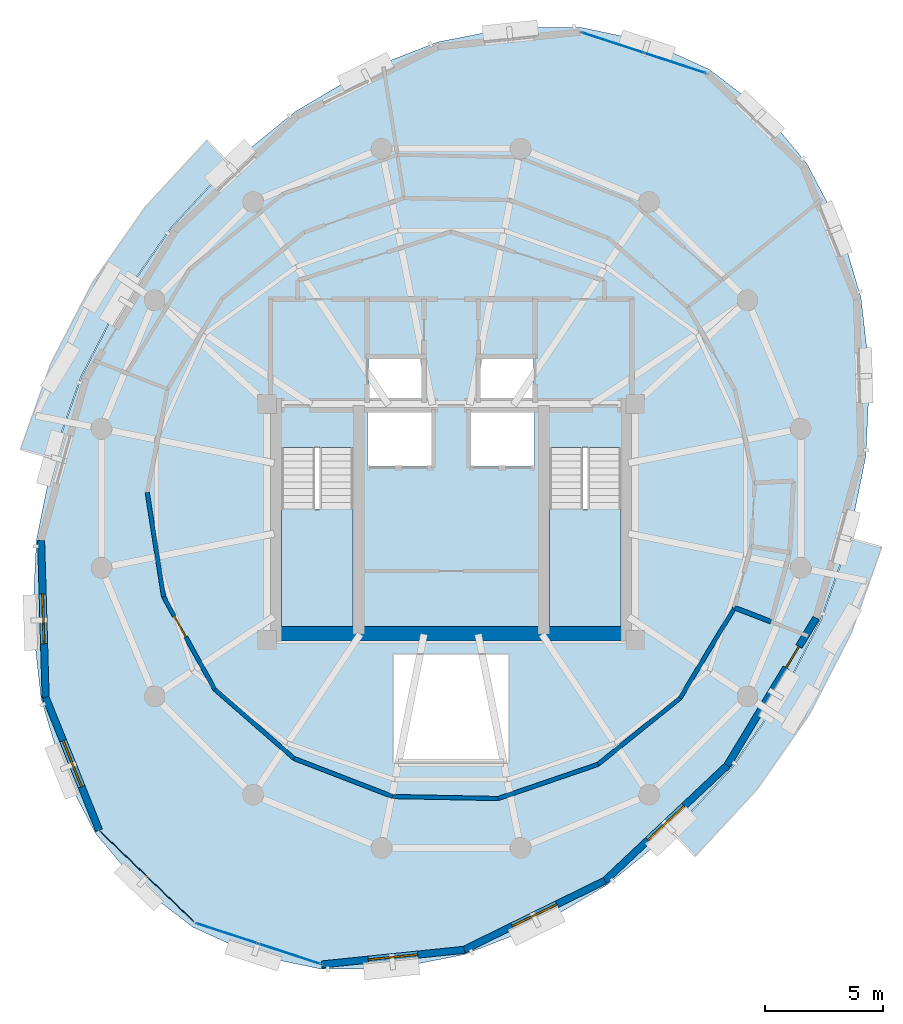
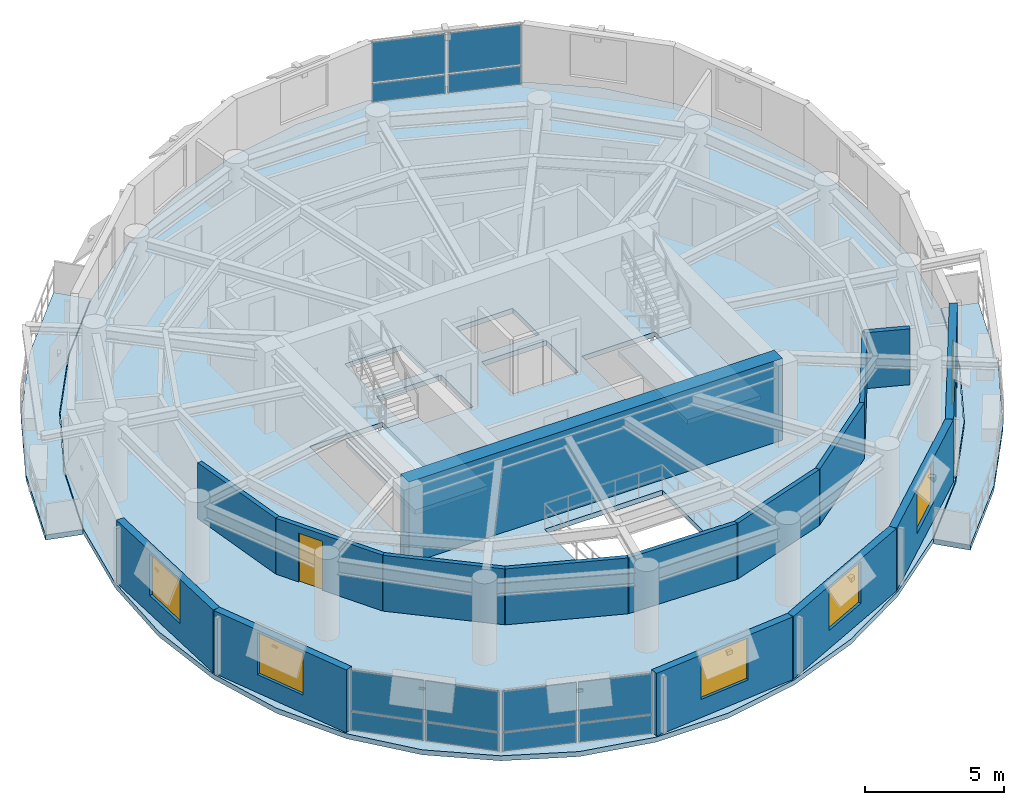
# One storey, part 6 of 11: 16 walls, 12 plates, 5 slabs, 5 windows, 2 doors, 7 openings, 5 elements without a shape of their own.
"""IFC4 building model written with IfcOpenShell, lengths in metres."""

from ifc_helpers import new_model, si_unit, direction, frame, frame_2d, origin, origin_2d, place, context, subcontext, project, spatial, polyline, rectangle, outline, extrude, material, layer, layer_set, type_object, element, fill, aggregate, save


model = new_model("IFC4")

# Units and contexts
model_context = context("Model", 3, precision=1e-05, world=origin(), true_north=direction((0.0, 1.0)))
body_context = subcontext(model_context, "Body", "Model", "MODEL_VIEW")
ifc_project = project(units=[si_unit("LENGTHUNIT", "METRE"), si_unit("AREAUNIT", "SQUARE_METRE"), si_unit("VOLUMEUNIT", "CUBIC_METRE"), si_unit("PLANEANGLEUNIT", "RADIAN"), si_unit("MASSUNIT", "GRAM", prefix="KILO"), si_unit("THERMODYNAMICTEMPERATUREUNIT", "KELVIN"), si_unit("POWERUNIT", "WATT")], contexts=[model_context])

# Site, building, storey
site_placement = place(None, origin())
site = spatial("IfcSite", under=ifc_project, at=site_placement, CompositionType="ELEMENT")
building_placement = place(site_placement, origin())
building = spatial("IfcBuilding", under=site, at=building_placement, Name="Ocrelia Relay Tower", CompositionType="ELEMENT")
storey_placement = place(building_placement, frame((0.0, 0.0, 273.60009765625)))
storey = spatial("IfcBuildingStorey", under=building, at=storey_placement, Name="L68", CompositionType="ELEMENT", Elevation=273.60009765625)

# Curtain wall, plates
ifc_material_1 = material(Name="Aluminium and solar-control low-E glass", Category="aluminium")
ifc_layer_1 = layer(ifc_material_1, 0.179931640625, Name="Aluminium and solar-control low-E glass")
ifc_layer_set_1 = layer_set([ifc_layer_1], Name="Aluminium and solar-control low-E glass")
curtain_wall_type = type_object("IfcCurtainWallType", Name="CW-SYS-Z4-EXEC", PredefinedType="NOTDEFINED", material=ifc_layer_set_1)
curtain_wall_1_placement = place(storey_placement, origin())
curtain_wall_1 = element("IfcCurtainWall", 1, at=curtain_wall_1_placement, inside=storey, type_object=curtain_wall_type, Name="L68 Elliptical Tower Curtain Wall Bay 01", PredefinedType="NOTDEFINED")
ifc_material_2 = material(Name="Clear double-glazed low-E glass", Category="glass")
ifc_layer_2 = layer(ifc_material_2, 0.031982421875, Name="Clear double-glazed low-E glass")
ifc_layer_set_2 = layer_set([ifc_layer_2], Name="Clear double-glazed low-E glass")
plate_type = type_object("IfcPlateType", Name="CW-SYS-Z4-EXEC-PNL", PredefinedType="CURTAIN_PANEL", material=ifc_layer_set_2)
plate_1_placement = place(storey_placement, frame((43.489501953125, 44.4267578125, 0.059814453125), z_axis=(0.0, 0.0, 1.0), x_axis=(-0.950255391519, 0.311471813957, 0.0)))
plate_1 = element("IfcPlate", 2, at=plate_1_placement, type_object=plate_type, Name="CW-Z4 panel 1.1", PredefinedType="CURTAIN_PANEL", context=body_context, shape_type="SweptSolid", body=[
    extrude(rectangle(XDim=2.7275390625, YDim=0.031982421875, at=origin_2d()), origin(), (0.0, 0.0, 1.0), 0.81005859375),
])
plate_2_placement = place(storey_placement, frame((43.489501953125, 44.4267578125, 0.929931640625), z_axis=(0.0, 0.0, 1.0), x_axis=(-0.950255391519, 0.311471813957, 0.0)))
plate_2 = element("IfcPlate", 3, at=plate_2_placement, type_object=plate_type, Name="CW-Z4 panel 1.2", PredefinedType="CURTAIN_PANEL", context=body_context, shape_type="SweptSolid", body=[
    extrude(rectangle(XDim=2.7275390625, YDim=0.031982421875, at=origin_2d()), origin(), (0.0, 0.0, 1.0), 1.77001953125),
])
plate_3_placement = place(storey_placement, frame((40.835693359375, 45.29638671875, 0.059814453125), z_axis=(0.0, 0.0, 1.0), x_axis=(-0.950255391519, 0.311471813957, 0.0)))
plate_3 = element("IfcPlate", 4, at=plate_3_placement, type_object=plate_type, Name="CW-Z4 panel 2.1", PredefinedType="CURTAIN_PANEL", context=body_context, shape_type="SweptSolid", body=[
    extrude(rectangle(XDim=2.7275390625, YDim=0.031982421875, at=origin_2d()), origin(), (0.0, 0.0, 1.0), 0.81005859375),
])
plate_4_placement = place(storey_placement, frame((40.835693359375, 45.29638671875, 0.929931640625), z_axis=(0.0, 0.0, 1.0), x_axis=(-0.950255391519, 0.311471813957, 0.0)))
plate_4 = element("IfcPlate", 5, at=plate_4_placement, type_object=plate_type, Name="CW-Z4 panel 2.2", PredefinedType="CURTAIN_PANEL", context=body_context, shape_type="SweptSolid", body=[
    extrude(rectangle(XDim=2.7275390625, YDim=0.031982421875, at=origin_2d()), origin(), (0.0, 0.0, 1.0), 1.77001953125),
])
aggregate(curtain_wall_1, [plate_1, plate_2, plate_3, plate_4])

curtain_wall_2_placement = place(storey_placement, origin())
curtain_wall_2 = element("IfcCurtainWall", 6, at=curtain_wall_2_placement, inside=storey, type_object=curtain_wall_type, Name="L68 Elliptical Tower Curtain Wall Bay 09", PredefinedType="NOTDEFINED")
plate_5_placement = place(storey_placement, frame((20.118896484375, 10.95361328125, 0.059814453125), z_axis=(0.0, 0.0, 1.0), x_axis=(0.718708551146, -0.695311454321, 0.0)))
plate_5 = element("IfcPlate", 7, at=plate_5_placement, type_object=plate_type, Name="CW-Z4 panel 1.1", PredefinedType="CURTAIN_PANEL", context=body_context, shape_type="SweptSolid", body=[
    extrude(rectangle(XDim=2.7275390625, YDim=0.031982421875, at=origin_2d()), origin(), (0.0, 0.0, 1.0), 0.81005859375),
])
plate_6_placement = place(storey_placement, frame((20.118896484375, 10.95361328125, 0.929931640625), z_axis=(0.0, 0.0, 1.0), x_axis=(0.718708551146, -0.695311454321, 0.0)))
plate_6 = element("IfcPlate", 8, at=plate_6_placement, type_object=plate_type, Name="CW-Z4 panel 1.2", PredefinedType="CURTAIN_PANEL", context=body_context, shape_type="SweptSolid", body=[
    extrude(rectangle(XDim=2.7275390625, YDim=0.031982421875, at=origin_2d()), origin(), (0.0, 0.0, 1.0), 1.77001953125),
])
plate_7_placement = place(storey_placement, frame((22.1259765625, 9.011962890625, 0.059814453125), z_axis=(0.0, 0.0, 1.0), x_axis=(0.718708551146, -0.695311454321, 0.0)))
plate_7 = element("IfcPlate", 9, at=plate_7_placement, type_object=plate_type, Name="CW-Z4 panel 2.1", PredefinedType="CURTAIN_PANEL", context=body_context, shape_type="SweptSolid", body=[
    extrude(rectangle(XDim=2.7275390625, YDim=0.031982421875, at=origin_2d()), origin(), (0.0, 0.0, 1.0), 0.81005859375),
])
plate_8_placement = place(storey_placement, frame((22.1259765625, 9.011962890625, 0.929931640625), z_axis=(0.0, 0.0, 1.0), x_axis=(0.718708551146, -0.695311454321, 0.0)))
plate_8 = element("IfcPlate", 10, at=plate_8_placement, type_object=plate_type, Name="CW-Z4 panel 2.2", PredefinedType="CURTAIN_PANEL", context=body_context, shape_type="SweptSolid", body=[
    extrude(rectangle(XDim=2.7275390625, YDim=0.031982421875, at=origin_2d()), origin(), (0.0, 0.0, 1.0), 1.77001953125),
])
aggregate(curtain_wall_2, [plate_5, plate_6, plate_7, plate_8])

curtain_wall_3_placement = place(storey_placement, origin())
curtain_wall_3 = element("IfcCurtainWall", 11, at=curtain_wall_3_placement, inside=storey, type_object=curtain_wall_type, Name="L68 Elliptical Tower Curtain Wall Bay 10", PredefinedType="NOTDEFINED")
plate_9_placement = place(storey_placement, frame((24.510498046875, 7.5732421875, 0.059814453125), z_axis=(0.0, 0.0, 1.0), x_axis=(0.950255391519, -0.311471813957, 0.0)))
plate_9 = element("IfcPlate", 12, at=plate_9_placement, type_object=plate_type, Name="CW-Z4 panel 1.1", PredefinedType="CURTAIN_PANEL", context=body_context, shape_type="SweptSolid", body=[
    extrude(rectangle(XDim=2.7275390625, YDim=0.031982421875, at=origin_2d()), origin(), (0.0, 0.0, 1.0), 0.81005859375),
])
plate_10_placement = place(storey_placement, frame((24.510498046875, 7.5732421875, 0.929931640625), z_axis=(0.0, 0.0, 1.0), x_axis=(0.950255391519, -0.311471813957, 0.0)))
plate_10 = element("IfcPlate", 13, at=plate_10_placement, type_object=plate_type, Name="CW-Z4 panel 1.2", PredefinedType="CURTAIN_PANEL", context=body_context, shape_type="SweptSolid", body=[
    extrude(rectangle(XDim=2.7275390625, YDim=0.031982421875, at=origin_2d()), origin(), (0.0, 0.0, 1.0), 1.77001953125),
])
plate_11_placement = place(storey_placement, frame((27.164306640625, 6.70361328125, 0.059814453125), z_axis=(0.0, 0.0, 1.0), x_axis=(0.950255391519, -0.311471813957, 0.0)))
plate_11 = element("IfcPlate", 14, at=plate_11_placement, type_object=plate_type, Name="CW-Z4 panel 2.1", PredefinedType="CURTAIN_PANEL", context=body_context, shape_type="SweptSolid", body=[
    extrude(rectangle(XDim=2.7275390625, YDim=0.031982421875, at=origin_2d()), origin(), (0.0, 0.0, 1.0), 0.81005859375),
])
plate_12_placement = place(storey_placement, frame((27.164306640625, 6.70361328125, 0.929931640625), z_axis=(0.0, 0.0, 1.0), x_axis=(0.950255391519, -0.311471813957, 0.0)))
plate_12 = element("IfcPlate", 15, at=plate_12_placement, type_object=plate_type, Name="CW-Z4 panel 2.2", PredefinedType="CURTAIN_PANEL", context=body_context, shape_type="SweptSolid", body=[
    extrude(rectangle(XDim=2.7275390625, YDim=0.031982421875, at=origin_2d()), origin(), (0.0, 0.0, 1.0), 1.77001953125),
])
aggregate(curtain_wall_3, [plate_9, plate_10, plate_11, plate_12])

# Slabs
ifc_material_3 = material(Name="Precast concrete C40/50", Category="concrete")
ifc_layer_3 = layer(ifc_material_3, 0.219970703125, Name="Precast concrete C40/50")
ifc_layer_set_3 = layer_set([ifc_layer_3], Name="Precast concrete C40/50")
slab_type_1 = type_object("IfcSlabType", Name="SL-BALC-220", PredefinedType="FLOOR", material=ifc_layer_set_3)
slab_1_placement = place(storey_placement, frame((0.0, 0.0, -0.22021484375)))
element("IfcSlab", 16, at=slab_1_placement, inside=storey, type_object=slab_type_1, Name="L68 Planted Loggia Balcony B1", PredefinedType="FLOOR", context=body_context, shape_type="SweptSolid", body=[
    extrude(outline(polyline([(24.609375, 40.142333984375), (23.37109375, 38.802490234375), (22.133056640625, 37.462646484375), (20.01708984375, 34.43505859375), (18.32568359375, 31.1513671875), (17.718017578125, 29.43115234375), (17.1103515625, 27.711181640625), (15.76708984375, 28.08154296875), (16.40673828125, 29.892578125), (17.046630859375, 31.70361328125), (18.82421875, 35.154541015625), (21.0478515625, 38.33642578125), (22.3515625, 39.747314453125), (23.655029296875, 41.15771484375), (24.609375, 40.142333984375)])), origin(), (0.0, 0.0, 1.0), 0.22021484375),
])
slab_2_placement = place(storey_placement, frame((0.0, 0.0, -0.22021484375)))
element("IfcSlab", 17, at=slab_2_placement, inside=storey, type_object=slab_type_1, Name="L68 Planted Loggia Balcony B2", PredefinedType="FLOOR", context=body_context, shape_type="SweptSolid", body=[
    extrude(outline(polyline([(43.390625, 11.857666015625), (44.62890625, 13.197509765625), (45.866943359375, 14.537353515625), (47.98291015625, 17.56494140625), (49.67431640625, 20.8486328125), (50.281982421875, 22.56884765625), (50.8896484375, 24.288818359375), (52.23291015625, 23.91845703125), (51.593017578125, 22.107421875), (50.953369140625, 20.29638671875), (49.17578125, 16.845458984375), (46.9521484375, 13.66357421875), (45.6484375, 12.2529296875), (44.344970703125, 10.84228515625), (43.390625, 11.857666015625)])), origin(), (0.0, 0.0, 1.0), 0.22021484375),
])
ifc_material_4 = material(Name="Concrete C50/60", Category="concrete")
ifc_layer_4 = layer(ifc_material_4, 0.219970703125, Name="Concrete C50/60")
ifc_layer_set_4 = layer_set([ifc_layer_4], Name="Concrete C50/60")
slab_type_2 = type_object("IfcSlabType", Name="SL-FLR-220", PredefinedType="FLOOR", material=ifc_layer_set_4)
slab_3_placement = place(storey_placement, frame((0.0, 0.0, -0.22021484375)))
element("IfcSlab", 18, at=slab_3_placement, inside=storey, type_object=slab_type_2, Name="L68 Elliptical Tower Floor Slab", PredefinedType="FLOOR", context=body_context, shape_type="SweptSolid", body=[
    extrude(outline(polyline([(44.950439453125, 44.15283203125), (42.360595703125, 45.339111328125), (39.5166015625, 45.937744140625), (36.5048828125, 45.9306640625), (33.4169921875, 45.31787109375), (30.34716796875, 44.1181640625), (27.387939453125, 42.367919921875), (24.6298828125, 40.120361328125), (22.156494140625, 37.44384765625), (20.042724609375, 34.41943359375), (18.353515625, 31.139404296875), (17.139404296875, 27.703125), (16.4375, 24.215087890625), (16.269287109375, 20.78125), (16.639892578125, 17.506103515625), (17.5380859375, 14.489013671875), (18.936279296875, 11.821533203125), (20.792236328125, 9.5849609375), (23.049560546875, 7.84716796875), (25.639404296875, 6.660888671875), (28.4833984375, 6.062255859375), (31.4951171875, 6.0693359375), (34.5830078125, 6.68212890625), (37.65283203125, 7.8818359375), (40.612060546875, 9.632080078125), (43.3701171875, 11.879638671875), (45.843505859375, 14.55615234375), (47.957275390625, 17.58056640625), (49.646484375, 20.860595703125), (50.860595703125, 24.296875), (51.5625, 27.784912109375), (51.730712890625, 31.21875), (51.360107421875, 34.493896484375), (50.4619140625, 37.510986328125), (49.063720703125, 40.178466796875), (47.207763671875, 42.4150390625), (44.950439453125, 44.15283203125)]), holes=[polyline([(26.81005859375, 28.14990234375), (26.81005859375, 20.550048828125), (29.85009765625, 20.550048828125), (29.85009765625, 28.14990234375), (26.81005859375, 28.14990234375)]), polyline([(38.159912109375, 28.14990234375), (38.159912109375, 20.550048828125), (41.199951171875, 20.550048828125), (41.199951171875, 28.14990234375), (38.159912109375, 28.14990234375)]), polyline([(30.4599609375, 27.35009765625), (33.159912109375, 27.35009765625), (33.159912109375, 29.64990234375), (30.4599609375, 29.64990234375), (30.4599609375, 27.35009765625)]), polyline([(34.840087890625, 27.35009765625), (37.5400390625, 27.35009765625), (37.5400390625, 29.64990234375), (34.840087890625, 29.64990234375), (34.840087890625, 27.35009765625)]), polyline([(30.5, 30.10009765625), (32.85009765625, 30.10009765625), (32.85009765625, 32.0), (30.5, 32.0), (30.5, 30.10009765625)]), polyline([(35.14990234375, 30.10009765625), (37.5, 30.10009765625), (37.5, 32.0), (35.14990234375, 32.0), (35.14990234375, 30.10009765625)]), polyline([(31.550048828125, 14.800048828125), (36.449951171875, 14.800048828125), (36.449951171875, 19.39990234375), (31.550048828125, 19.39990234375), (31.550048828125, 14.800048828125)])]), origin(), (0.0, 0.0, 1.0), 0.22021484375),
])

# Stair, slab
stair_type = type_object("IfcStairType", Name="ST-DL-1420-R180", PredefinedType="HALF_TURN_STAIR", material=ifc_material_4)
stair_1_placement = place(storey_placement, origin())
stair_1 = element("IfcStair", 19, at=stair_1_placement, inside=storey, type_object=stair_type, Name="L68 West Core Exit Stair ST1", PredefinedType="HALF_TURN_STAIR")
ifc_layer_5 = layer(ifc_material_4, 0.199951171875, Name="Concrete C50/60")
ifc_layer_set_5 = layer_set([ifc_layer_5], Name="Concrete C50/60")
slab_type_3 = type_object("IfcSlabType", Name="SL-LANDING-200", PredefinedType="LANDING", material=ifc_layer_set_5)
slab_4_placement = place(storey_placement, frame((0.0, 0.0, 1.599853515625)))
slab_4 = element("IfcSlab", 20, at=slab_4_placement, type_object=slab_type_3, Name="ST1 landing 1", PredefinedType="LANDING", context=body_context, shape_type="SweptSolid", body=[
    extrude(outline(polyline([(26.81005859375, 25.5400390625), (26.81005859375, 20.550048828125), (29.85009765625, 20.550048828125), (29.85009765625, 25.5400390625), (26.81005859375, 25.5400390625)])), origin(), (0.0, 0.0, 1.0), 0.199951171875),
])
aggregate(stair_1, [slab_4])

stair_2_placement = place(storey_placement, origin())
stair_2 = element("IfcStair", 21, at=stair_2_placement, inside=storey, type_object=stair_type, Name="L68 East Core Exit Stair ST2", PredefinedType="HALF_TURN_STAIR")
slab_5_placement = place(storey_placement, frame((0.0, 0.0, 1.599853515625)))
slab_5 = element("IfcSlab", 22, at=slab_5_placement, type_object=slab_type_3, Name="ST2 landing 1", PredefinedType="LANDING", context=body_context, shape_type="SweptSolid", body=[
    extrude(outline(polyline([(38.159912109375, 25.5400390625), (38.159912109375, 20.550048828125), (41.199951171875, 20.550048828125), (41.199951171875, 25.5400390625), (38.159912109375, 25.5400390625)])), origin(), (0.0, 0.0, 1.0), 0.199951171875),
])
aggregate(stair_2, [slab_5])

# Walls
ifc_layer_6 = layer(ifc_material_4, 0.60009765625, Name="Concrete C50/60")
ifc_layer_set_6 = layer_set([ifc_layer_6], Name="Concrete C50/60")
wall_type_1 = type_object("IfcWallType", Name="CW-CORE-600B", PredefinedType="SHEAR", material=ifc_layer_set_6)
wall_1_placement = place(storey_placement, frame((26.221923828125, 20.261962890625, 0.0), z_axis=(0.0, 0.0, 1.0), x_axis=(1.0, 0.0, 0.0)))
element("IfcWall", 23, at=wall_1_placement, inside=storey, type_object=wall_type_1, Name="L68 Core Shear Wall S", PredefinedType="SHEAR", context=body_context, shape_type="SweptSolid", body=[
    extrude(rectangle(XDim=15.566162109375, YDim=0.60009765625, at=frame_2d((7.783203125, 0.0))), origin(), (0.0, 0.0, 1.0), 3.599853515625),
])
ifc_material_5 = material(Name="Gypsum Fireboard Partition EI60", Category="gypsum")
ifc_layer_7 = layer(ifc_material_5, 0.179931640625, Name="Gypsum Fireboard Partition EI60")
ifc_layer_set_7 = layer_set([ifc_layer_7], Name="Gypsum Fireboard Partition EI60")
wall_type_2 = type_object("IfcWallType", Name="W-CORR-EI60-180", PredefinedType="PARTITIONING", material=ifc_layer_set_7)
wall_2_placement = place(storey_placement, frame((21.13232421875, 26.2470703125, 0.0), z_axis=(0.0, 0.0, 1.0), x_axis=(0.154745114787, -0.987954426808, 0.0)))
element("IfcWall", 24, at=wall_2_placement, inside=storey, type_object=wall_type_2, Name="L68 Satellite Telemetry Lab Corridor Partition 2", PredefinedType="PARTITIONING", context=body_context, shape_type="SweptSolid", body=[
    extrude(rectangle(XDim=4.4697265625, YDim=0.179931640625, at=frame_2d((2.23486328125, 0.0))), origin(), (0.0, 0.0, 1.0), 2.4599609375),
])

# Wall, opening, door
wall_3_placement = place(storey_placement, frame((21.823974609375, 21.831298828125, 0.0), z_axis=(0.0, 0.0, 1.0), x_axis=(0.483243391957, -0.87548605022, 0.0)))
wall_3 = element("IfcWall", 25, at=wall_3_placement, inside=storey, type_object=wall_type_2, Name="L68 Satellite Telemetry Lab Corridor Partition 3", PredefinedType="PARTITIONING", context=body_context, shape_type="SweptSolid", body=[
    extrude(rectangle(XDim=4.4697265625, YDim=0.179931640625, at=frame_2d((2.23486328125, 0.0))), origin(), (0.0, 0.0, 1.0), 2.4599609375),
])
opening_1_placement = place(wall_3_placement, frame((0.9423828125, 0.0, 0.0)))
opening_1 = element("IfcOpeningElement", 26, at=opening_1_placement, cuts=wall_3, Name="Opening D-RM100", PredefinedType="OPENING", context=body_context, shape_type="SweptSolid", body=[
    extrude(rectangle(XDim=1.0, YDim=2.14990234375, at=frame_2d((0.5, 1.074951171875))), frame((0.0, 0.10009765625, 0.0), z_axis=(0.0, -1.0, 0.0), x_axis=(1.0, 0.0, 0.0)), (0.0, 0.0, 1.0), 0.199951171875),
])
ifc_material_6 = material(Name="Acoustic oak veneer fire door", Category="wood")
door_type_1 = type_object("IfcDoorType", Name="DR-ROOM-FD60-1000", OperationType="NOTDEFINED", PredefinedType="DOOR", material=ifc_material_6)
door_1_placement = place(opening_1_placement, origin())
door_1 = element("IfcDoor", 27, at=door_1_placement, inside=storey, type_object=door_type_1, Name="L68 Satellite Telemetry Lab Entrance Door", OperationType="SINGLE_SWING_RIGHT", OverallHeight=2.14990234375, OverallWidth=1.0, PredefinedType="DOOR", context=body_context, shape_type="SweptSolid", body=[
    extrude(rectangle(XDim=1.0, YDim=2.14990234375, at=frame_2d((0.5, 1.074951171875))), frame((0.0, 0.02490234375, 0.0), z_axis=(0.0, -1.0, 0.0), x_axis=(1.0, 0.0, 0.0)), (0.0, 0.0, 1.0), 0.050048828125),
])
fill(opening_1, door_1)

# Walls
wall_4_placement = place(storey_placement, frame((23.98388671875, 17.918212890625, 0.0), z_axis=(0.0, 0.0, 1.0), x_axis=(0.753560422162, -0.657378650514, 0.0)))
element("IfcWall", 28, at=wall_4_placement, inside=storey, type_object=wall_type_2, Name="L68 Satellite Telemetry Lab Corridor Partition 4", PredefinedType="PARTITIONING", context=body_context, shape_type="SweptSolid", body=[
    extrude(rectangle(XDim=4.469970703125, YDim=0.179931640625, at=frame_2d((2.23486328125, 0.0))), origin(), (0.0, 0.0, 1.0), 2.4599609375),
])
wall_5_placement = place(storey_placement, frame((27.352294921875, 14.979736328125, 0.0), z_axis=(0.0, 0.0, 1.0), x_axis=(0.932964972783, -0.359967164557, 0.0)))
element("IfcWall", 29, at=wall_5_placement, inside=storey, type_object=wall_type_2, Name="L68 Satellite Telemetry Lab Corridor Partition 5", PredefinedType="PARTITIONING", context=body_context, shape_type="SweptSolid", body=[
    extrude(rectangle(XDim=4.469482421875, YDim=0.179931640625, at=frame_2d((2.23486328125, 0.0))), origin(), (0.0, 0.0, 1.0), 2.4599609375),
])
wall_6_placement = place(storey_placement, frame((31.522216796875, 13.370849609375, 0.0), z_axis=(0.0, 0.0, 1.0), x_axis=(0.999815160221, -0.019226164239, 0.0)))
element("IfcWall", 30, at=wall_6_placement, inside=storey, type_object=wall_type_2, Name="L68 Satellite Telemetry Lab Corridor Partition 6", PredefinedType="PARTITIONING", context=body_context, shape_type="SweptSolid", body=[
    extrude(rectangle(XDim=4.4697265625, YDim=0.179931640625, at=frame_2d((2.23486328125, 0.0))), origin(), (0.0, 0.0, 1.0), 2.4599609375),
])
wall_7_placement = place(storey_placement, frame((35.9912109375, 13.284912109375, 0.0), z_axis=(0.0, 0.0, 1.0), x_axis=(0.946067972385, 0.323968195394, 0.0)))
element("IfcWall", 31, at=wall_7_placement, inside=storey, type_object=wall_type_2, Name="L68 Satellite Telemetry Lab Corridor Partition 7", PredefinedType="PARTITIONING", context=body_context, shape_type="SweptSolid", body=[
    extrude(rectangle(XDim=4.469482421875, YDim=0.179931640625, at=frame_2d((2.23486328125, 0.0))), origin(), (0.0, 0.0, 1.0), 2.4599609375),
])
wall_8_placement = place(storey_placement, frame((40.2197265625, 14.73291015625, 0.0), z_axis=(0.0, 0.0, 1.0), x_axis=(0.778283015722, 0.627913646483, 0.0)))
element("IfcWall", 32, at=wall_8_placement, inside=storey, type_object=wall_type_2, Name="L68 Satellite Telemetry Lab Corridor Partition 8", PredefinedType="PARTITIONING", context=body_context, shape_type="SweptSolid", body=[
    extrude(rectangle(XDim=4.4697265625, YDim=0.179931640625, at=frame_2d((2.23486328125, 0.0))), origin(), (0.0, 0.0, 1.0), 2.4599609375),
])
wall_9_placement = place(storey_placement, frame((43.698486328125, 17.53955078125, 0.0), z_axis=(0.0, 0.0, 1.0), x_axis=(0.516518599696, 0.856275969631, 0.0)))
element("IfcWall", 33, at=wall_9_placement, inside=storey, type_object=wall_type_2, Name="L68 Satellite Telemetry Lab Corridor Partition 9", PredefinedType="PARTITIONING", context=body_context, shape_type="SweptSolid", body=[
    extrude(rectangle(XDim=4.469482421875, YDim=0.179931640625, at=frame_2d((2.23486328125, 0.0))), origin(), (0.0, 0.0, 1.0), 2.4599609375),
])

# Wall, opening, window
ifc_material_7 = material(Name="Precast concrete C40/50 with oxide terracotta", Category="masonry")
ifc_layer_8 = layer(ifc_material_7, 0.300048828125, Name="Precast concrete C40/50 with oxide terracotta")
ifc_layer_set_8 = layer_set([ifc_layer_8], Name="Precast concrete C40/50 with oxide terracotta")
wall_type_3 = type_object("IfcWallType", Name="W-EXT-TERR-300", PredefinedType="SOLIDWALL", material=ifc_layer_set_8)
wall_10_placement = place(storey_placement, frame((16.637451171875, 24.211181640625, 0.0), z_axis=(0.0, 0.0, 1.0), x_axis=(0.028849342267, -0.999583771102, 0.0)))
wall_10 = element("IfcWall", 34, at=wall_10_placement, inside=storey, type_object=wall_type_3, Name="L68 Oxide Terracotta Facade Wall 07", PredefinedType="SOLIDWALL", context=body_context, shape_type="SweptSolid", body=[
    extrude(rectangle(XDim=6.64306640625, YDim=0.300048828125, at=frame_2d((3.321533203125, 0.0))), origin(), (0.0, 0.0, 1.0), 2.760009765625),
])
opening_2_placement = place(wall_10_placement, frame((2.27197265625, 0.0, 0.800048828125)))
opening_2 = element("IfcOpeningElement", 35, at=opening_2_placement, cuts=wall_10, Name="Opening W-07", PredefinedType="OPENING", context=body_context, shape_type="SweptSolid", body=[
    extrude(rectangle(XDim=2.10009765625, YDim=1.85009765625, at=frame_2d((1.050048828125, 0.925048828125))), frame((0.0, 0.16015625, 0.0), z_axis=(0.0, -1.0, 0.0), x_axis=(1.0, 0.0, 0.0)), (0.0, 0.0, 1.0), 0.320068359375),
])
window_type = type_object("IfcWindowType", Name="WIN-Z4-2100x2200", PartitioningType="DOUBLE_PANEL_VERTICAL", PredefinedType="WINDOW", material=ifc_material_2)
window_1_placement = place(opening_2_placement, origin())
window_1 = element("IfcWindow", 36, at=window_1_placement, inside=storey, type_object=window_type, Name="L68 Facade Module Window 07", OverallHeight=1.85009765625, OverallWidth=2.10009765625, PartitioningType="SINGLE_PANEL", PredefinedType="WINDOW", context=body_context, shape_type="SweptSolid", body=[
    extrude(rectangle(XDim=2.10009765625, YDim=1.85009765625, at=frame_2d((1.050048828125, 0.925048828125))), frame((0.0, 0.030029296875, 0.0), z_axis=(0.0, -1.0, 0.0), x_axis=(1.0, 0.0, 0.0)), (0.0, 0.0, 1.0), 0.06005859375),
])
fill(opening_2, window_1)

wall_11_placement = place(storey_placement, frame((16.8291015625, 17.57080078125, 0.0), z_axis=(0.0, 0.0, 1.0), x_axis=(0.373264770135, -0.927724857582, 0.0)))
wall_11 = element("IfcWall", 37, at=wall_11_placement, inside=storey, type_object=wall_type_3, Name="L68 Oxide Terracotta Facade Wall 08", PredefinedType="SOLIDWALL", context=body_context, shape_type="SweptSolid", body=[
    extrude(rectangle(XDim=6.06201171875, YDim=0.300048828125, at=frame_2d((3.031005859375, 0.0))), origin(), (0.0, 0.0, 1.0), 2.760009765625),
])
opening_3_placement = place(wall_11_placement, frame((1.98095703125, 0.0, 0.800048828125)))
opening_3 = element("IfcOpeningElement", 38, at=opening_3_placement, cuts=wall_11, Name="Opening W-07", PredefinedType="OPENING", context=body_context, shape_type="SweptSolid", body=[
    extrude(rectangle(XDim=2.10009765625, YDim=1.85009765625, at=frame_2d((1.050048828125, 0.925048828125))), frame((0.0, 0.16015625, 0.0), z_axis=(0.0, -1.0, 0.0), x_axis=(1.0, 0.0, 0.0)), (0.0, 0.0, 1.0), 0.320068359375),
])
window_2_placement = place(opening_3_placement, origin())
window_2 = element("IfcWindow", 39, at=window_2_placement, inside=storey, type_object=window_type, Name="L68 Facade Module Window 08", OverallHeight=1.85009765625, OverallWidth=2.10009765625, PartitioningType="SINGLE_PANEL", PredefinedType="WINDOW", context=body_context, shape_type="SweptSolid", body=[
    extrude(rectangle(XDim=2.10009765625, YDim=1.85009765625, at=frame_2d((1.050048828125, 0.925048828125))), frame((0.0, 0.030029296875, 0.0), z_axis=(0.0, -1.0, 0.0), x_axis=(1.0, 0.0, 0.0)), (0.0, 0.0, 1.0), 0.06005859375),
])
fill(opening_3, window_2)

wall_12_placement = place(storey_placement, frame((28.52197265625, 6.258544921875, 0.0), z_axis=(0.0, 0.0, 1.0), x_axis=(0.994737324556, 0.102458065252, 0.0)))
wall_12 = element("IfcWall", 40, at=wall_12_placement, inside=storey, type_object=wall_type_3, Name="L68 Oxide Terracotta Facade Wall 11", PredefinedType="SOLIDWALL", context=body_context, shape_type="SweptSolid", body=[
    extrude(rectangle(XDim=6.06201171875, YDim=0.300048828125, at=frame_2d((3.031005859375, 0.0))), origin(), (0.0, 0.0, 1.0), 2.760009765625),
])
opening_4_placement = place(wall_12_placement, frame((1.98095703125, 0.0, 0.800048828125)))
opening_4 = element("IfcOpeningElement", 41, at=opening_4_placement, cuts=wall_12, Name="Opening W-07", PredefinedType="OPENING", context=body_context, shape_type="SweptSolid", body=[
    extrude(rectangle(XDim=2.10009765625, YDim=1.85009765625, at=frame_2d((1.050048828125, 0.925048828125))), frame((0.0, 0.16015625, 0.0), z_axis=(0.0, -1.0, 0.0), x_axis=(1.0, 0.0, 0.0)), (0.0, 0.0, 1.0), 0.320068359375),
])
window_3_placement = place(opening_4_placement, origin())
window_3 = element("IfcWindow", 42, at=window_3_placement, inside=storey, type_object=window_type, Name="L68 Facade Module Window 11", OverallHeight=1.85009765625, OverallWidth=2.10009765625, PartitioningType="SINGLE_PANEL", PredefinedType="WINDOW", context=body_context, shape_type="SweptSolid", body=[
    extrude(rectangle(XDim=2.10009765625, YDim=1.85009765625, at=frame_2d((1.050048828125, 0.925048828125))), frame((0.0, 0.030029296875, 0.0), z_axis=(0.0, -1.0, 0.0), x_axis=(1.0, 0.0, 0.0)), (0.0, 0.0, 1.0), 0.06005859375),
])
fill(opening_4, window_3)

wall_13_placement = place(storey_placement, frame((34.552001953125, 6.879638671875, 0.0), z_axis=(0.0, 0.0, 1.0), x_axis=(0.897666817596, 0.440674805936, 0.0)))
wall_13 = element("IfcWall", 43, at=wall_13_placement, inside=storey, type_object=wall_type_3, Name="L68 Oxide Terracotta Facade Wall 12", PredefinedType="SOLIDWALL", context=body_context, shape_type="SweptSolid", body=[
    extrude(rectangle(XDim=6.643310546875, YDim=0.300048828125, at=frame_2d((3.32177734375, 0.0))), origin(), (0.0, 0.0, 1.0), 2.760009765625),
])
opening_5_placement = place(wall_13_placement, frame((2.27197265625, 0.0, 0.800048828125)))
opening_5 = element("IfcOpeningElement", 44, at=opening_5_placement, cuts=wall_13, Name="Opening W-07", PredefinedType="OPENING", context=body_context, shape_type="SweptSolid", body=[
    extrude(rectangle(XDim=2.10009765625, YDim=1.85009765625, at=frame_2d((1.050048828125, 0.925048828125))), frame((0.0, 0.16015625, 0.0), z_axis=(0.0, -1.0, 0.0), x_axis=(1.0, 0.0, 0.0)), (0.0, 0.0, 1.0), 0.320068359375),
])
window_4_placement = place(opening_5_placement, origin())
window_4 = element("IfcWindow", 45, at=window_4_placement, inside=storey, type_object=window_type, Name="L68 Facade Module Window 12", OverallHeight=1.85009765625, OverallWidth=2.10009765625, PartitioningType="SINGLE_PANEL", PredefinedType="WINDOW", context=body_context, shape_type="SweptSolid", body=[
    extrude(rectangle(XDim=2.10009765625, YDim=1.85009765625, at=frame_2d((1.050048828125, 0.925048828125))), frame((0.0, 0.030029296875, 0.0), z_axis=(0.0, -1.0, 0.0), x_axis=(1.0, 0.0, 0.0)), (0.0, 0.0, 1.0), 0.06005859375),
])
fill(opening_5, window_4)

wall_14_placement = place(storey_placement, frame((40.515380859375, 9.80712890625, 0.0), z_axis=(0.0, 0.0, 1.0), x_axis=(0.727660844175, 0.685937093219, 0.0)))
wall_14 = element("IfcWall", 46, at=wall_14_placement, inside=storey, type_object=wall_type_3, Name="L68 Oxide Terracotta Facade Wall 13", PredefinedType="SOLIDWALL", context=body_context, shape_type="SweptSolid", body=[
    extrude(rectangle(XDim=7.115234375, YDim=0.300048828125, at=frame_2d((3.5576171875, 0.0))), origin(), (0.0, 0.0, 1.0), 2.760009765625),
])
opening_6_placement = place(wall_14_placement, frame((2.508056640625, 0.0, 0.800048828125)))
opening_6 = element("IfcOpeningElement", 47, at=opening_6_placement, cuts=wall_14, Name="Opening W-07", PredefinedType="OPENING", context=body_context, shape_type="SweptSolid", body=[
    extrude(rectangle(XDim=2.10009765625, YDim=1.85009765625, at=frame_2d((1.050048828125, 0.925048828125))), frame((0.0, 0.16015625, 0.0), z_axis=(0.0, -1.0, 0.0), x_axis=(1.0, 0.0, 0.0)), (0.0, 0.0, 1.0), 0.320068359375),
])
window_5_placement = place(opening_6_placement, origin())
window_5 = element("IfcWindow", 48, at=window_5_placement, inside=storey, type_object=window_type, Name="L68 Facade Module Window 13", OverallHeight=1.85009765625, OverallWidth=2.10009765625, PartitioningType="SINGLE_PANEL", PredefinedType="WINDOW", context=body_context, shape_type="SweptSolid", body=[
    extrude(rectangle(XDim=2.10009765625, YDim=1.85009765625, at=frame_2d((1.050048828125, 0.925048828125))), frame((0.0, 0.030029296875, 0.0), z_axis=(0.0, -1.0, 0.0), x_axis=(1.0, 0.0, 0.0)), (0.0, 0.0, 1.0), 0.06005859375),
])
fill(opening_6, window_5)

# Wall, opening, door
wall_15_placement = place(storey_placement, frame((45.69287109375, 14.687744140625, 0.0), z_axis=(0.0, 0.0, 1.0), x_axis=(0.516551999099, 0.856255821719, 0.0)))
wall_15 = element("IfcWall", 49, at=wall_15_placement, inside=storey, type_object=wall_type_3, Name="L68 Oxide Terracotta Facade Wall 14", PredefinedType="SOLIDWALL", context=body_context, shape_type="SweptSolid", body=[
    extrude(rectangle(XDim=7.293212890625, YDim=0.300048828125, at=frame_2d((3.646484375, 0.0))), origin(), (0.0, 0.0, 1.0), 2.760009765625),
])
opening_7_placement = place(wall_15_placement, frame((4.830078125, 0.0, 0.0)))
opening_7 = element("IfcOpeningElement", 50, at=opening_7_placement, cuts=wall_15, Name="Opening DB-105", PredefinedType="OPENING", context=body_context, shape_type="SweptSolid", body=[
    extrude(rectangle(XDim=1.050048828125, YDim=2.14990234375, at=frame_2d((0.52490234375, 1.074951171875))), frame((0.0, 0.16015625, 0.0), z_axis=(0.0, -1.0, 0.0), x_axis=(1.0, 0.0, 0.0)), (0.0, 0.0, 1.0), 0.320068359375),
])
ifc_material_8 = material(Name="Thermally broken aluminium and clear glass", Category="aluminium")
door_type_2 = type_object("IfcDoorType", Name="DR-BALC-1050", OperationType="NOTDEFINED", PredefinedType="DOOR", material=ifc_material_8)
door_2_placement = place(opening_7_placement, origin())
door_2 = element("IfcDoor", 51, at=door_2_placement, inside=storey, type_object=door_type_2, Name="L68 Planted Loggia Balcony Door B2", OperationType="SINGLE_SWING_LEFT", OverallHeight=2.14990234375, OverallWidth=1.050048828125, PredefinedType="DOOR", context=body_context, shape_type="SweptSolid", body=[
    extrude(rectangle(XDim=1.050048828125, YDim=2.14990234375, at=frame_2d((0.52490234375, 1.074951171875))), frame((0.0, 0.02490234375, 0.0), z_axis=(0.0, -1.0, 0.0), x_axis=(1.0, 0.0, 0.0)), (0.0, 0.0, 1.0), 0.050048828125),
])
fill(opening_7, door_2)

# Wall
ifc_material_9 = material(Name="Moisture-Resistant Fireboard Chase Wall EI60", Category="gypsum")
ifc_layer_9 = layer(ifc_material_9, 0.199951171875, Name="Moisture-Resistant Fireboard Chase Wall EI60")
ifc_layer_set_9 = layer_set([ifc_layer_9], Name="Moisture-Resistant Fireboard Chase Wall EI60")
wall_type_4 = type_object("IfcWallType", Name="W-PLUMB-200", PredefinedType="PLUMBINGWALL", material=ifc_layer_set_9)
wall_16_placement = place(storey_placement, frame((46.007080078125, 21.36669921875, 0.0), z_axis=(0.0, 0.0, 1.0), x_axis=(0.93294841695, -0.360010071124, 0.0)))
element("IfcWall", 52, at=wall_16_placement, inside=storey, type_object=wall_type_4, Name="L68 Staff Toilet Plumbing Radial Wall", PredefinedType="PLUMBINGWALL", context=body_context, shape_type="SweptSolid", body=[
    extrude(rectangle(XDim=1.64990234375, YDim=0.199951171875, at=frame_2d((0.824951171875, 0.0))), origin(), (0.0, 0.0, 1.0), 2.4599609375),
])

save(model, "model.ifc")
